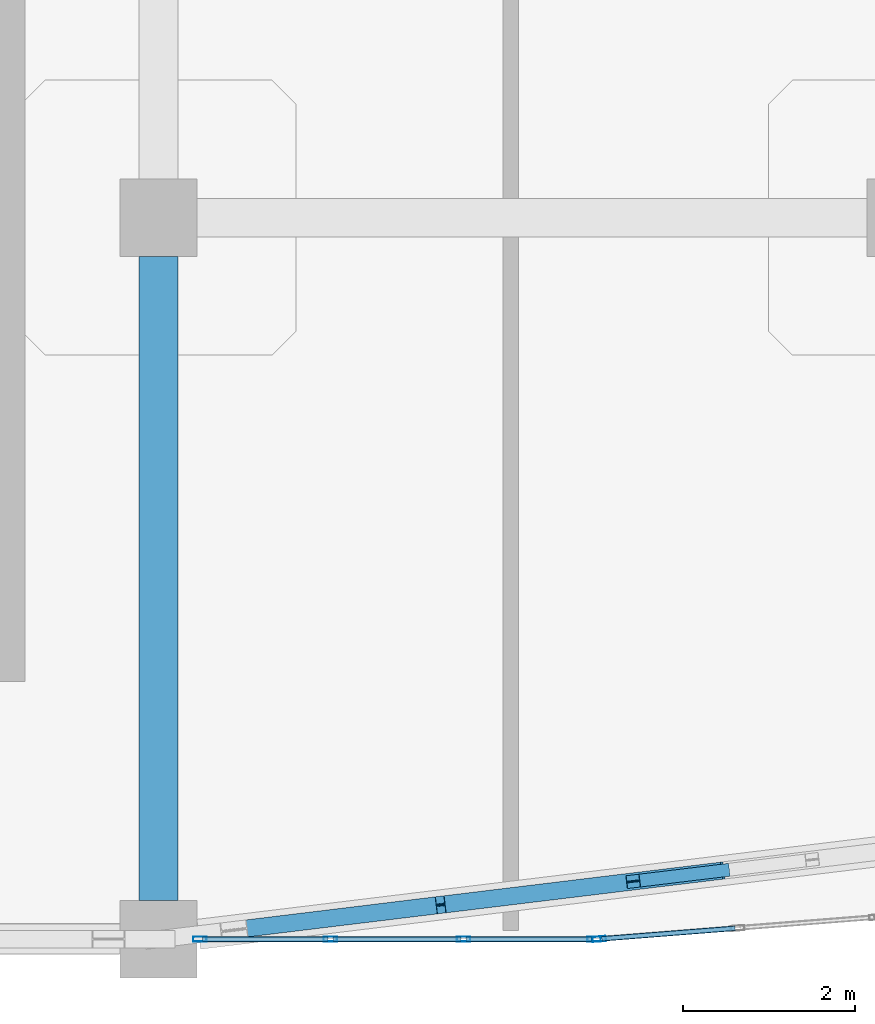
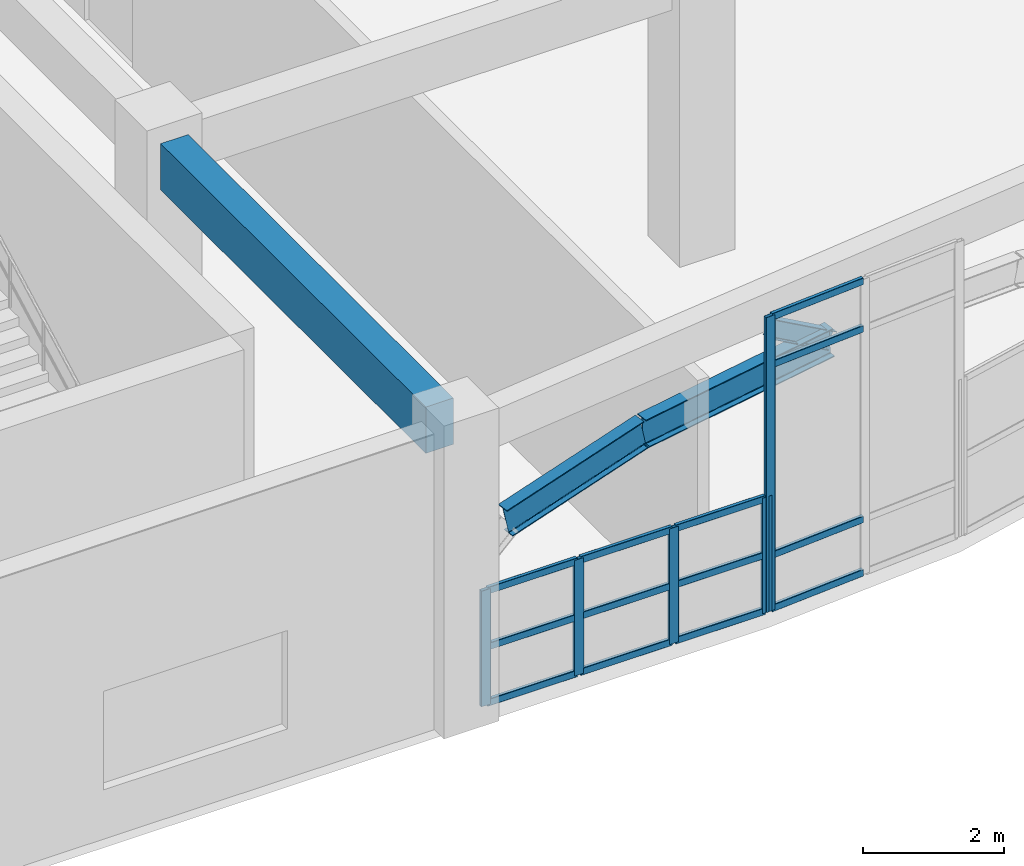
# One storey, part 53 of 114: 19 members, 3 beams, 2 elements without a shape of their own.
"""IFC4 building model written with IfcOpenShell, lengths in metres."""

from ifc_helpers import new_model, si_unit, derived_unit, direction, frame, origin, origin_2d, place, context, subcontext, project, spatial, rectangle, hollow_rectangle, i_section, extrude, material, layer, layer_set, material_profile, profile_set, type_object, element, aggregate, save


model = new_model("IFC4")

# Units and contexts
model_context = context("Model", 3, precision=1e-05, world=origin(), true_north=direction((0.0, 1.0)))
body_context = subcontext(model_context, "Body", "Model", "MODEL_VIEW")
ifc_project = project(units=[si_unit("LENGTHUNIT", "METRE"), si_unit("AREAUNIT", "SQUARE_METRE"), si_unit("VOLUMEUNIT", "CUBIC_METRE"), si_unit("PLANEANGLEUNIT", "RADIAN"), si_unit("MASSUNIT", "GRAM", prefix="KILO"), derived_unit("THERMALTRANSMITTANCEUNIT", [(si_unit("MASSUNIT", "GRAM", prefix="KILO"), 1), (si_unit("TIMEUNIT", "SECOND"), -3), (si_unit("THERMODYNAMICTEMPERATUREUNIT", "KELVIN"), -1)])], contexts=[model_context])

# Site, building, storey
site_placement = place(None, origin())
site = spatial("IfcSite", under=ifc_project, at=site_placement, CompositionType="ELEMENT")
building_placement = place(site_placement, origin())
building = spatial("IfcBuilding", under=site, at=building_placement, Name="Qinzheling Arcade Emporium", CompositionType="ELEMENT")
storey_placement = place(building_placement, frame((0.0, 0.0, 6.0)))
storey = spatial("IfcBuildingStorey", under=building, at=storey_placement, Name="L02", CompositionType="ELEMENT", Elevation=6.0)

# Beams
ifc_material_1 = material(Name="Weathering steel Q355NH", Category="steel")
ifc_material_profile_1 = material_profile(ifc_material_1, i_section(OverallWidth=0.199951171875, OverallDepth=0.5, WebThickness=0.010009765625, FlangeThickness=0.01611328125, FilletRadius=0.01806640625, at=origin_2d()), Name="HN 500x200x10x16", Category="steel")
ifc_profile_set_1 = profile_set([ifc_material_profile_1], Name="Weathering steel Q355NH")
beam_type_1 = type_object("IfcBeamType", Name="Arcade End Arch Rib HN500 Q355NH", PredefinedType="BEAM", material=ifc_profile_set_1)
beam_1_placement = place(storey_placement, frame((148.780029296875, 0.10693359375, 2.972900390625), z_axis=(0.970454612125, 0.118263992541, 0.210312800069), x_axis=(-0.120969580346, 0.992656214724, 0.0)))
element("IfcBeam", 1, at=beam_1_placement, inside=storey, type_object=beam_type_1, Name="Curved Arcade Entrance Arch ARC-L02-CV4-B01-C02", PredefinedType="BEAM", context=body_context, shape_type="SweptSolid", body=[
    extrude(i_section(OverallWidth=0.199951171875, OverallDepth=0.5, WebThickness=0.010009765625, FlangeThickness=0.01611328125, FilletRadius=0.01806640625, at=origin_2d()), origin(), (0.0, 0.0, 1.0), 2.477294921875),
])
beam_2_placement = place(storey_placement, frame((151.18408203125, 0.39990234375, 3.493896484375), z_axis=(0.991040116343, 0.12046320647, 0.057689719062), x_axis=(-0.120664165238, 0.992693386312, 0.0)))
element("IfcBeam", 2, at=beam_2_placement, inside=storey, type_object=beam_type_1, Name="Curved Arcade Entrance Arch ARC-L02-CV4-B01-C03", PredefinedType="BEAM", context=body_context, shape_type="SweptSolid", body=[
    extrude(i_section(OverallWidth=0.199951171875, OverallDepth=0.5, WebThickness=0.010009765625, FlangeThickness=0.01611328125, FilletRadius=0.01806640625, at=origin_2d()), origin(), (0.0, 0.0, 1.0), 3.313720703125),
])

# Member
ifc_material_profile_2 = material_profile(ifc_material_1, i_section(OverallWidth=0.14990234375, OverallDepth=0.300048828125, WebThickness=0.006591796875, FlangeThickness=0.009033203125, FilletRadius=0.012939453125, at=origin_2d()), Name="HN 300x150x6.5x9", Category="steel")
ifc_profile_set_2 = profile_set([ifc_material_profile_2], Name="Weathering steel Q355NH")
member_type_1 = type_object("IfcMemberType", Name="Arcade Spandrel Web Chord HN300 Q355NH", PredefinedType="CHORD", material=ifc_profile_set_2)
member_1_placement = place(storey_placement, frame((154.468017578125, 0.799072265625, 3.695068359375), z_axis=(-0.847658043421, -0.10248161912, 0.52055101495), x_axis=(0.120025708638, -0.99277078385, 0.0)))
element("IfcMember", 3, at=member_1_placement, inside=storey, type_object=member_type_1, Name="Arcade Spandrel Web Chord ASW-L02-CV4-B01-W1", PredefinedType="CHORD", context=body_context, shape_type="SweptSolid", body=[
    extrude(i_section(OverallWidth=0.14990234375, OverallDepth=0.300048828125, WebThickness=0.006591796875, FlangeThickness=0.009033203125, FilletRadius=0.012939453125, at=origin_2d()), origin(), (0.0, 0.0, 1.0), 1.229248046875),
])

# Curtain wall, member
ifc_material_2 = material(Name="Anodised aluminium and solar-control double glazing", Category="aluminium")
ifc_layer_1 = layer(ifc_material_2, 0.159912109375, Name="Anodised aluminium and solar-control double glazing", Category="aluminium")
ifc_layer_set_1 = layer_set([ifc_layer_1], Name="Anodised aluminium and solar-control double glazing")
curtain_wall_type_1 = type_object("IfcCurtainWallType", Name="Curved Ribbon Sales Curtain Wall", PredefinedType="NOTDEFINED", material=ifc_layer_set_1)
curtain_wall_1_placement = place(storey_placement, origin())
curtain_wall_1 = element("IfcCurtainWall", 4, at=curtain_wall_1_placement, inside=storey, type_object=curtain_wall_type_1, Name="Curtain Wall CW-L02-056", PredefinedType="NOTDEFINED")
ifc_material_3 = material(Name="Anodised aluminium 6063-T6", Category="aluminium")
ifc_material_profile_3 = material_profile(ifc_material_3, hollow_rectangle(XDim=0.06005859375, YDim=0.159912109375, WallThickness=0.00390625, InnerFilletRadius=0.00390625, OuterFilletRadius=0.008056640625, at=origin_2d()), Name="RHS 160x60x4", Category="aluminium")
ifc_profile_set_3 = profile_set([ifc_material_profile_3], Name="Anodised aluminium 6063-T6")
member_type_2 = type_object("IfcMemberType", Name="Curtain Wall Mullion RHS160x60", PredefinedType="MULLION", material=ifc_profile_set_3)
member_2_placement = place(storey_placement, frame((153.02978515625, 0.00244140625, 0.0), z_axis=(0.0, 0.0, 1.0), x_axis=(0.078599308618, -0.996906288818, 0.0)))
member_2 = element("IfcMember", 5, at=member_2_placement, type_object=member_type_2, Name="CW02 mullion 3", PredefinedType="MULLION", context=body_context, shape_type="SweptSolid", body=[
    extrude(hollow_rectangle(XDim=0.06005859375, YDim=0.159912109375, WallThickness=0.00390625, InnerFilletRadius=0.00390625, OuterFilletRadius=0.008056640625, at=origin_2d()), origin(), (0.0, 0.0, 1.0), 5.090087890625),
])

# Curtain wall, members
ifc_layer_2 = layer(ifc_material_2, 0.159912109375, Name="Anodised aluminium and solar-control double glazing", Category="aluminium")
ifc_layer_set_2 = layer_set([ifc_layer_2], Name="Anodised aluminium and solar-control double glazing")
curtain_wall_type_2 = type_object("IfcCurtainWallType", Name="Food Hall Loggia Curtain Wall", PredefinedType="NOTDEFINED", material=ifc_layer_set_2)
curtain_wall_2_placement = place(storey_placement, origin())
curtain_wall_2 = element("IfcCurtainWall", 6, at=curtain_wall_2_placement, inside=storey, type_object=curtain_wall_type_2, Name="Curtain Wall CW-L02-057", PredefinedType="NOTDEFINED")
member_3_placement = place(storey_placement, frame((152.969970703125, 0.0, 0.0), z_axis=(0.0, 0.0, 1.0), x_axis=(0.0, -1.0, 0.0)))
member_3 = element("IfcMember", 7, at=member_3_placement, type_object=member_type_2, Name="CW04 mullion 1", PredefinedType="MULLION", context=body_context, shape_type="SweptSolid", body=[
    extrude(hollow_rectangle(XDim=0.06005859375, YDim=0.159912109375, WallThickness=0.00390625, InnerFilletRadius=0.00390625, OuterFilletRadius=0.008056640625, at=origin_2d()), origin(), (0.0, 0.0, 1.0), 1.9951171875),
])
member_4_placement = place(storey_placement, frame((151.45068359375, 0.0, 0.0), z_axis=(0.0, 0.0, 1.0), x_axis=(0.0, -1.0, 0.0)))
member_4 = element("IfcMember", 8, at=member_4_placement, type_object=member_type_2, Name="CW04 mullion 2", PredefinedType="MULLION", context=body_context, shape_type="SweptSolid", body=[
    extrude(hollow_rectangle(XDim=0.06005859375, YDim=0.159912109375, WallThickness=0.00390625, InnerFilletRadius=0.00390625, OuterFilletRadius=0.008056640625, at=origin_2d()), origin(), (0.0, 0.0, 1.0), 1.9951171875),
])
member_5_placement = place(storey_placement, frame((149.9013671875, 0.0, 0.0), z_axis=(0.0, 0.0, 1.0), x_axis=(0.0, -1.0, 0.0)))
member_5 = element("IfcMember", 9, at=member_5_placement, type_object=member_type_2, Name="CW04 mullion 3", PredefinedType="MULLION", context=body_context, shape_type="SweptSolid", body=[
    extrude(hollow_rectangle(XDim=0.06005859375, YDim=0.159912109375, WallThickness=0.00390625, InnerFilletRadius=0.00390625, OuterFilletRadius=0.008056640625, at=origin_2d()), origin(), (0.0, 0.0, 1.0), 1.9951171875),
])
member_6_placement = place(storey_placement, frame((148.382080078125, 0.0, 0.0), z_axis=(0.0, 0.0, 1.0), x_axis=(0.0, -1.0, 0.0)))
member_6 = element("IfcMember", 10, at=member_6_placement, type_object=member_type_2, Name="CW04 mullion 4", PredefinedType="MULLION", context=body_context, shape_type="SweptSolid", body=[
    extrude(hollow_rectangle(XDim=0.06005859375, YDim=0.159912109375, WallThickness=0.00390625, InnerFilletRadius=0.00390625, OuterFilletRadius=0.008056640625, at=origin_2d()), origin(), (0.0, 0.0, 1.0), 1.9951171875),
])

# Member
ifc_material_profile_4 = material_profile(ifc_material_3, hollow_rectangle(XDim=0.06005859375, YDim=0.1201171875, WallThickness=0.00390625, InnerFilletRadius=0.00390625, OuterFilletRadius=0.008056640625, at=origin_2d()), Name="RHS 120x60x4", Category="aluminium")
ifc_profile_set_4 = profile_set([ifc_material_profile_4], Name="Anodised aluminium 6063-T6")
member_type_3 = type_object("IfcMemberType", Name="Curtain Wall Transom RHS120x60", PredefinedType="USERDEFINED", material=ifc_profile_set_4)
member_7_placement = place(storey_placement, frame((154.612548828125, 0.127197265625, 0.030029296875), z_axis=(-0.996899443042, -0.078686088114, 0.0), x_axis=(0.078686088114, -0.996899443042, 0.0)))
member_7 = element("IfcMember", 11, at=member_7_placement, type_object=member_type_3, Name="CW02 transom 2.1", ObjectType="TRANSOM", PredefinedType="USERDEFINED", context=body_context, shape_type="SweptSolid", body=[
    extrude(hollow_rectangle(XDim=0.06005859375, YDim=0.1201171875, WallThickness=0.00390625, InnerFilletRadius=0.00390625, OuterFilletRadius=0.008056640625, at=origin_2d()), origin(), (0.0, 0.0, 1.0), 1.5576171875),
])

member_8_placement = place(storey_placement, frame((154.612548828125, 0.127197265625, 0.949951171875), z_axis=(-0.996899443042, -0.078686088114, 0.0), x_axis=(0.078686088114, -0.996899443042, 0.0)))
member_8 = element("IfcMember", 12, at=member_8_placement, type_object=member_type_3, Name="CW02 transom 2.2", ObjectType="TRANSOM", PredefinedType="USERDEFINED", context=body_context, shape_type="SweptSolid", body=[
    extrude(hollow_rectangle(XDim=0.06005859375, YDim=0.1201171875, WallThickness=0.00390625, InnerFilletRadius=0.00390625, OuterFilletRadius=0.008056640625, at=origin_2d()), origin(), (0.0, 0.0, 1.0), 1.5576171875),
])

member_9_placement = place(storey_placement, frame((154.612548828125, 0.127197265625, 4.239990234375), z_axis=(-0.996899443042, -0.078686088114, 0.0), x_axis=(0.078686088114, -0.996899443042, 0.0)))
member_9 = element("IfcMember", 13, at=member_9_placement, type_object=member_type_3, Name="CW02 transom 2.3", ObjectType="TRANSOM", PredefinedType="USERDEFINED", context=body_context, shape_type="SweptSolid", body=[
    extrude(hollow_rectangle(XDim=0.06005859375, YDim=0.1201171875, WallThickness=0.00390625, InnerFilletRadius=0.00390625, OuterFilletRadius=0.008056640625, at=origin_2d()), origin(), (0.0, 0.0, 1.0), 1.5576171875),
])

member_10_placement = place(storey_placement, frame((154.612548828125, 0.127197265625, 5.06005859375), z_axis=(-0.996899443042, -0.078686088114, 0.0), x_axis=(0.078686088114, -0.996899443042, 0.0)))
member_10 = element("IfcMember", 14, at=member_10_placement, type_object=member_type_3, Name="CW02 transom 2.4", ObjectType="TRANSOM", PredefinedType="USERDEFINED", context=body_context, shape_type="SweptSolid", body=[
    extrude(hollow_rectangle(XDim=0.06005859375, YDim=0.1201171875, WallThickness=0.00390625, InnerFilletRadius=0.00390625, OuterFilletRadius=0.008056640625, at=origin_2d()), origin(), (0.0, 0.0, 1.0), 1.5576171875),
])

aggregate(curtain_wall_1, [member_2, member_7, member_8, member_9, member_10])

member_11_placement = place(storey_placement, frame((152.93994140625, 0.0, 0.030029296875), z_axis=(-1.0, 0.0, 0.0), x_axis=(0.0, -1.0, 0.0)))
member_11 = element("IfcMember", 15, at=member_11_placement, type_object=member_type_3, Name="CW04 transom 1.1", ObjectType="TRANSOM", PredefinedType="USERDEFINED", context=body_context, shape_type="SweptSolid", body=[
    extrude(hollow_rectangle(XDim=0.06005859375, YDim=0.1201171875, WallThickness=0.00390625, InnerFilletRadius=0.00390625, OuterFilletRadius=0.008056640625, at=origin_2d()), origin(), (0.0, 0.0, 1.0), 1.459228515625),
])

member_12_placement = place(storey_placement, frame((152.93994140625, 0.0, 0.998046875), z_axis=(-1.0, 0.0, 0.0), x_axis=(0.0, -1.0, 0.0)))
member_12 = element("IfcMember", 16, at=member_12_placement, type_object=member_type_3, Name="CW04 transom 1.2", ObjectType="TRANSOM", PredefinedType="USERDEFINED", context=body_context, shape_type="SweptSolid", body=[
    extrude(hollow_rectangle(XDim=0.06005859375, YDim=0.1201171875, WallThickness=0.00390625, InnerFilletRadius=0.00390625, OuterFilletRadius=0.008056640625, at=origin_2d()), origin(), (0.0, 0.0, 1.0), 1.459228515625),
])

member_13_placement = place(storey_placement, frame((152.93994140625, 0.0, 1.965087890625), z_axis=(-1.0, 0.0, 0.0), x_axis=(0.0, -1.0, 0.0)))
member_13 = element("IfcMember", 17, at=member_13_placement, type_object=member_type_3, Name="CW04 transom 1.3", ObjectType="TRANSOM", PredefinedType="USERDEFINED", context=body_context, shape_type="SweptSolid", body=[
    extrude(hollow_rectangle(XDim=0.06005859375, YDim=0.1201171875, WallThickness=0.00390625, InnerFilletRadius=0.00390625, OuterFilletRadius=0.008056640625, at=origin_2d()), origin(), (0.0, 0.0, 1.0), 1.459228515625),
])

member_14_placement = place(storey_placement, frame((151.420654296875, 0.0, 0.030029296875), z_axis=(-1.0, 0.0, 0.0), x_axis=(0.0, -1.0, 0.0)))
member_14 = element("IfcMember", 18, at=member_14_placement, type_object=member_type_3, Name="CW04 transom 2.1", ObjectType="TRANSOM", PredefinedType="USERDEFINED", context=body_context, shape_type="SweptSolid", body=[
    extrude(hollow_rectangle(XDim=0.06005859375, YDim=0.1201171875, WallThickness=0.00390625, InnerFilletRadius=0.00390625, OuterFilletRadius=0.008056640625, at=origin_2d()), origin(), (0.0, 0.0, 1.0), 1.4892578125),
])

member_15_placement = place(storey_placement, frame((151.420654296875, 0.0, 0.998046875), z_axis=(-1.0, 0.0, 0.0), x_axis=(0.0, -1.0, 0.0)))
member_15 = element("IfcMember", 19, at=member_15_placement, type_object=member_type_3, Name="CW04 transom 2.2", ObjectType="TRANSOM", PredefinedType="USERDEFINED", context=body_context, shape_type="SweptSolid", body=[
    extrude(hollow_rectangle(XDim=0.06005859375, YDim=0.1201171875, WallThickness=0.00390625, InnerFilletRadius=0.00390625, OuterFilletRadius=0.008056640625, at=origin_2d()), origin(), (0.0, 0.0, 1.0), 1.4892578125),
])

member_16_placement = place(storey_placement, frame((151.420654296875, 0.0, 1.965087890625), z_axis=(-1.0, 0.0, 0.0), x_axis=(0.0, -1.0, 0.0)))
member_16 = element("IfcMember", 20, at=member_16_placement, type_object=member_type_3, Name="CW04 transom 2.3", ObjectType="TRANSOM", PredefinedType="USERDEFINED", context=body_context, shape_type="SweptSolid", body=[
    extrude(hollow_rectangle(XDim=0.06005859375, YDim=0.1201171875, WallThickness=0.00390625, InnerFilletRadius=0.00390625, OuterFilletRadius=0.008056640625, at=origin_2d()), origin(), (0.0, 0.0, 1.0), 1.4892578125),
])

member_17_placement = place(storey_placement, frame((149.871337890625, 0.0, 0.030029296875), z_axis=(-1.0, 0.0, 0.0), x_axis=(0.0, -1.0, 0.0)))
member_17 = element("IfcMember", 21, at=member_17_placement, type_object=member_type_3, Name="CW04 transom 3.1", ObjectType="TRANSOM", PredefinedType="USERDEFINED", context=body_context, shape_type="SweptSolid", body=[
    extrude(hollow_rectangle(XDim=0.06005859375, YDim=0.1201171875, WallThickness=0.00390625, InnerFilletRadius=0.00390625, OuterFilletRadius=0.008056640625, at=origin_2d()), origin(), (0.0, 0.0, 1.0), 1.459228515625),
])

member_18_placement = place(storey_placement, frame((149.871337890625, 0.0, 0.998046875), z_axis=(-1.0, 0.0, 0.0), x_axis=(0.0, -1.0, 0.0)))
member_18 = element("IfcMember", 22, at=member_18_placement, type_object=member_type_3, Name="CW04 transom 3.2", ObjectType="TRANSOM", PredefinedType="USERDEFINED", context=body_context, shape_type="SweptSolid", body=[
    extrude(hollow_rectangle(XDim=0.06005859375, YDim=0.1201171875, WallThickness=0.00390625, InnerFilletRadius=0.00390625, OuterFilletRadius=0.008056640625, at=origin_2d()), origin(), (0.0, 0.0, 1.0), 1.459228515625),
])

member_19_placement = place(storey_placement, frame((149.871337890625, 0.0, 1.965087890625), z_axis=(-1.0, 0.0, 0.0), x_axis=(0.0, -1.0, 0.0)))
member_19 = element("IfcMember", 23, at=member_19_placement, type_object=member_type_3, Name="CW04 transom 3.3", ObjectType="TRANSOM", PredefinedType="USERDEFINED", context=body_context, shape_type="SweptSolid", body=[
    extrude(hollow_rectangle(XDim=0.06005859375, YDim=0.1201171875, WallThickness=0.00390625, InnerFilletRadius=0.00390625, OuterFilletRadius=0.008056640625, at=origin_2d()), origin(), (0.0, 0.0, 1.0), 1.459228515625),
])

aggregate(curtain_wall_2, [member_3, member_4, member_5, member_6, member_11, member_12, member_13, member_14, member_15, member_16, member_17, member_18, member_19])

# Beam
ifc_material_4 = material(Name="Concrete C40", Category="concrete")
ifc_material_profile_5 = material_profile(ifc_material_4, rectangle(XDim=0.449951171875, YDim=0.800048828125, at=origin_2d()), Name="RC 450x800", Category="concrete")
ifc_profile_set_5 = profile_set([ifc_material_profile_5], Name="Concrete C40")
beam_type_2 = type_object("IfcBeamType", Name="RC Primary Frame Beam 450x800 C40", PredefinedType="BEAM", material=ifc_profile_set_5)
beam_3_placement = place(storey_placement, frame((147.89990234375, 0.449951171875, 4.705078125), z_axis=(0.0, 1.0, 0.0), x_axis=(-1.0, 0.0, 0.0)))
element("IfcBeam", 24, at=beam_3_placement, inside=storey, type_object=beam_type_2, Name="Beam BM-L02-Y-18-A", PredefinedType="BEAM", context=body_context, shape_type="SweptSolid", body=[
    extrude(rectangle(XDim=0.449951171875, YDim=0.800048828125, at=origin_2d()), origin(), (0.0, 0.0, 1.0), 7.5),
])

save(model, "model.ifc")
